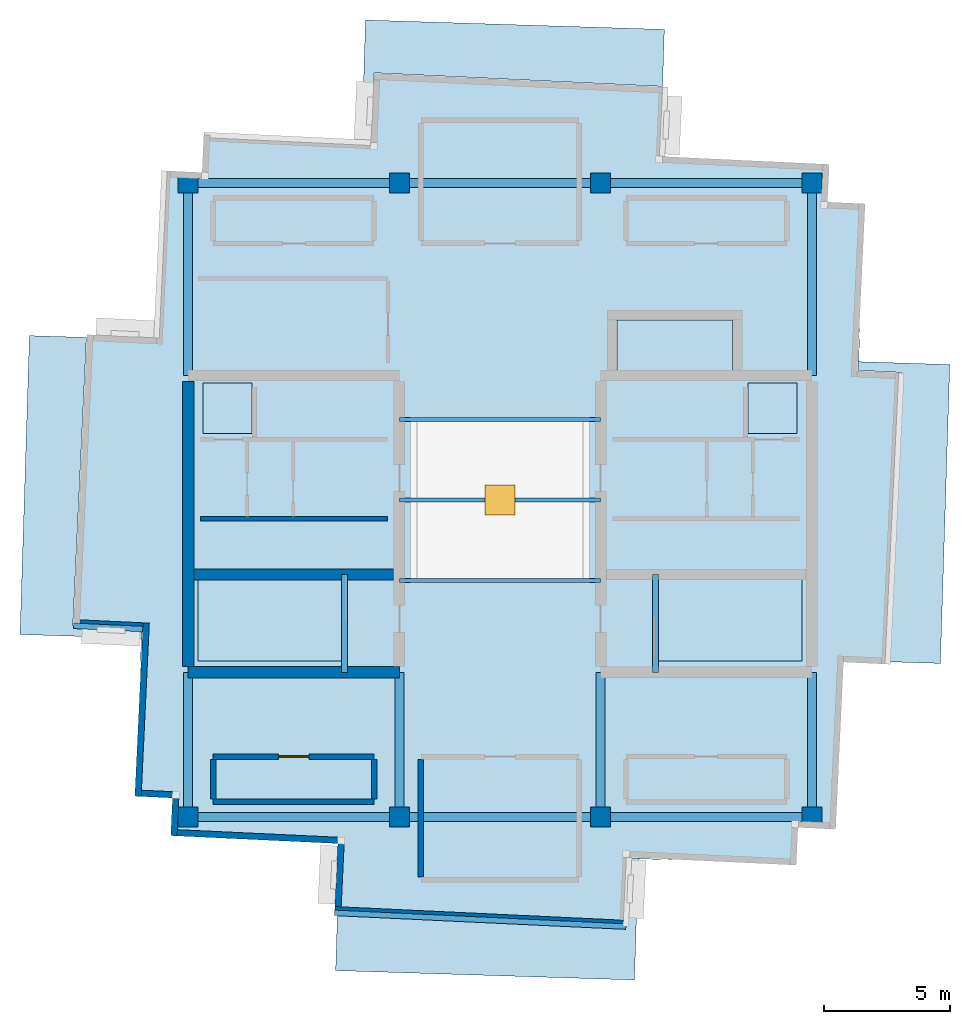
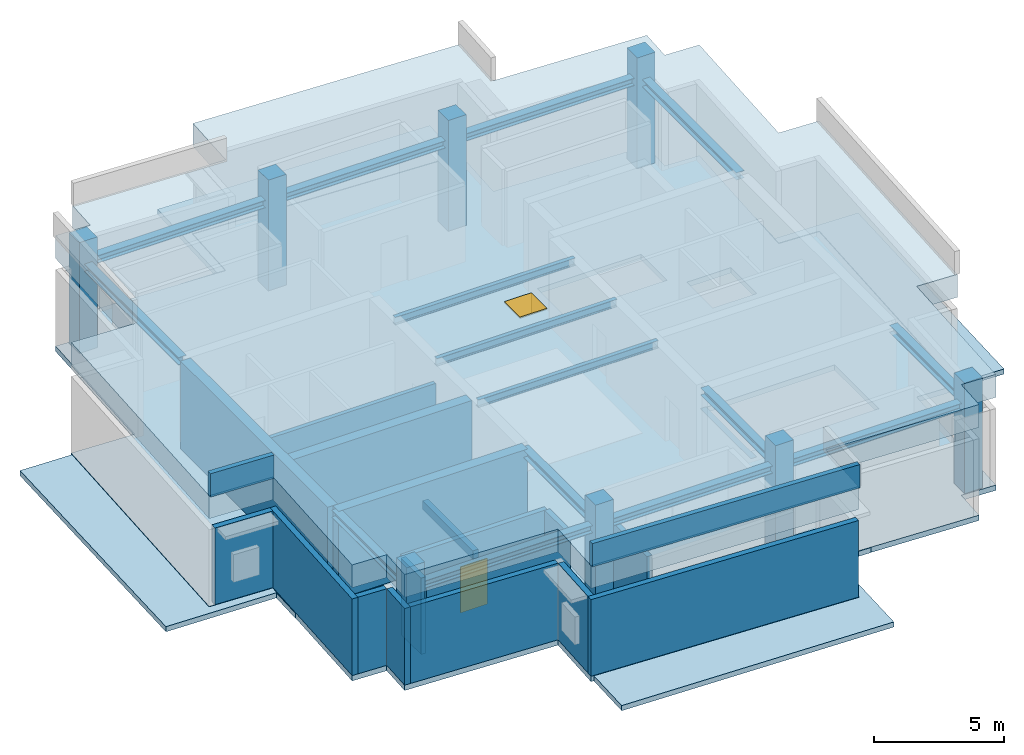
# One storey, part 1 of 4: 18 walls, 17 beams, 8 columns, 6 slabs, 1 door, 1 window, 2 openings.
"""IFC4 building model written with IfcOpenShell, lengths in metres."""

from ifc_helpers import new_model, si_unit, direction, frame, frame_2d, origin, origin_2d, place, context, subcontext, project, spatial, polyline, rectangle, i_section, outline, extrude, material, layer, layer_set, material_profile, profile_set, type_object, element, fill, save


model = new_model("IFC4")

# Units and contexts
model_context = context("Model", 3, precision=1e-05, world=origin(), true_north=direction((0.0, 1.0)))
body_context = subcontext(model_context, "Body", "Model", "MODEL_VIEW")
ifc_project = project(units=[si_unit("LENGTHUNIT", "METRE"), si_unit("AREAUNIT", "SQUARE_METRE"), si_unit("VOLUMEUNIT", "CUBIC_METRE"), si_unit("PLANEANGLEUNIT", "RADIAN"), si_unit("MASSUNIT", "GRAM", prefix="KILO")], contexts=[model_context])

# Site, building, storey
site_placement = place(None, origin())
site = spatial("IfcSite", under=ifc_project, at=site_placement, CompositionType="ELEMENT")
building_placement = place(site_placement, origin())
building = spatial("IfcBuilding", under=site, at=building_placement, Name="Qingluan Cross Belvedere", CompositionType="ELEMENT")
storey_placement = place(building_placement, frame((0.0, 0.0, 321.89990234375)))
storey = spatial("IfcBuildingStorey", under=building, at=storey_placement, Name="L79", CompositionType="ELEMENT", Elevation=321.89990234375)

# Columns
ifc_material_1 = material(Name="Concrete C50", Category="concrete")
ifc_material_profile_1 = material_profile(ifc_material_1, rectangle(XDim=0.800048828125, YDim=0.800048828125, at=origin_2d()), Name="RC800x800")
ifc_profile_set_1 = profile_set([ifc_material_profile_1], Name="Concrete C50")
column_type = type_object("IfcColumnType", Name="Column_RC800x800", PredefinedType="COLUMN", material=ifc_profile_set_1)
for number, where, z_axis, x_axis, name in (
    (1, (-12.39990234375, -12.60009765625, 0.0), (0.0, 0.0, 1.0), (1.0, 0.0, 0.0), "Hub column L79-HC1"),
    (2, (12.39990234375, -12.60009765625, 0.0), (0.0, 0.0, 1.0), (1.0, 0.0, 0.0), "Hub column L79-HC2"),
    (3, (12.39990234375, 12.60009765625, 0.0), (0.0, 0.0, 1.0), (1.0, 0.0, 0.0), "Hub column L79-HC3"),
    (4, (-12.39990234375, 12.60009765625, 0.0), (0.0, 0.0, 1.0), (1.0, 0.0, 0.0), "Hub column L79-HC4"),
    (5, (-4.0, -12.60009765625, 0.0), (0.0, 0.0, 1.0), (1.0, 0.0, 0.0), "Hub column L79-HC5"),
    (6, (4.0, -12.60009765625, 0.0), (0.0, 0.0, 1.0), (1.0, 0.0, 0.0), "Hub column L79-HC6"),
    (7, (4.0, 12.60009765625, 0.0), (0.0, 0.0, 1.0), (1.0, 0.0, 0.0), "Hub column L79-HC7"),
    (8, (-4.0, 12.60009765625, 0.0), (0.0, 0.0, 1.0), (1.0, 0.0, 0.0), "Hub column L79-HC8"),
):
    element("IfcColumn", number, at=place(storey_placement, frame(where, z_axis=z_axis, x_axis=x_axis)), inside=storey, type_object=column_type, Name=name, PredefinedType="COLUMN", context=body_context, shape_type="SweptSolid", body=[
        extrude(rectangle(XDim=0.800048828125, YDim=0.800048828125, at=origin_2d()), origin(), (0.0, 0.0, 1.0), 5.2001953125),
    ])

# Beams
ifc_material_2 = material(Name="Concrete C45", Category="concrete")
ifc_material_profile_2 = material_profile(ifc_material_2, rectangle(XDim=0.25, YDim=0.39990234375, at=origin_2d()), Name="RC250x400")
ifc_profile_set_2 = profile_set([ifc_material_profile_2], Name="Concrete C45")
beam_type_1 = type_object("IfcBeamType", Name="RC_Lintel_RC250x400", PredefinedType="LINTEL", material=ifc_profile_set_2)
for number, where, z_axis, x_axis, name in (
    (9, (-6.179931640625, -6.85009765625, -0.199951171875), (0.0, 1.0, 0.0), (-1.0, 0.0, 0.0), "Stair ST1 landing beam L79"),
    (10, (6.179931640625, -6.85009765625, -0.199951171875), (0.0, 1.0, 0.0), (-1.0, 0.0, 0.0), "Stair ST2 landing beam L79"),
):
    element("IfcBeam", number, at=place(storey_placement, frame(where, z_axis=z_axis, x_axis=x_axis)), inside=storey, type_object=beam_type_1, Name=name, PredefinedType="LINTEL", context=body_context, shape_type="SweptSolid", body=[
        extrude(rectangle(XDim=0.25, YDim=0.39990234375, at=origin_2d()), origin(), (0.0, 0.0, 1.0), 3.89013671875),
    ])
ifc_material_3 = material(Name="Steel Q420GJB", Category="steel")
ifc_material_profile_3 = material_profile(ifc_material_3, i_section(OverallWidth=0.175048828125, OverallDepth=0.35009765625, WebThickness=0.007080078125, FlangeThickness=0.010986328125, FilletRadius=0.012939453125, at=origin_2d()), Name="HN350x175x7x11")
ifc_profile_set_3 = profile_set([ifc_material_profile_3], Name="Steel Q420GJB")
beam_type_2 = type_object("IfcBeamType", Name="Steel_Beam_HN350x175x7x11", PredefinedType="JOIST", material=ifc_profile_set_3)
for number, where, z_axis, x_axis, name in (
    (11, (-4.0, -3.199951171875, 3.945068359375), (1.0, 0.0, 0.0), (0.0, 1.0, 0.0), "Hall beam L79-CH1"),
    (12, (-4.0, 0.0, 3.945068359375), (1.0, 0.0, 0.0), (0.0, 1.0, 0.0), "Hall beam L79-CH2"),
    (13, (-4.0, 3.199951171875, 3.945068359375), (1.0, 0.0, 0.0), (0.0, 1.0, 0.0), "Hall beam L79-CH3"),
):
    element("IfcBeam", number, at=place(storey_placement, frame(where, z_axis=z_axis, x_axis=x_axis)), inside=storey, type_object=beam_type_2, Name=name, PredefinedType="JOIST", context=body_context, shape_type="SweptSolid", body=[
        extrude(i_section(OverallWidth=0.175048828125, OverallDepth=0.35009765625, WebThickness=0.007080078125, FlangeThickness=0.010986328125, FilletRadius=0.012939453125, at=origin_2d()), origin(), (0.0, 0.0, 1.0), 8.0),
    ])
ifc_material_4 = material(Name="Steel Q420GJB", Category="steel")
ifc_material_profile_4 = material_profile(ifc_material_4, i_section(OverallWidth=0.35009765625, OverallDepth=0.35009765625, WebThickness=0.011962890625, FlangeThickness=0.01904296875, FilletRadius=0.02001953125, at=origin_2d()), Name="HW350x350x12x19")
ifc_profile_set_4 = profile_set([ifc_material_profile_4], Name="Steel Q420GJB")
beam_type_3 = type_object("IfcBeamType", Name="Steel_Girder_HW350x350x12x19", PredefinedType="USERDEFINED", material=ifc_profile_set_4)
beam_1_placement = place(storey_placement, frame((-12.39990234375, -12.60009765625, 3.945068359375), z_axis=(1.0, 0.0, 0.0), x_axis=(0.0, 1.0, 0.0)))
element("IfcBeam", 14, at=beam_1_placement, inside=storey, type_object=beam_type_3, Name="Hub girder L79-HG-S1", ObjectType="GIRDER", PredefinedType="USERDEFINED", context=body_context, shape_type="SweptSolid", body=[
    extrude(i_section(OverallWidth=0.35009765625, OverallDepth=0.35009765625, WebThickness=0.011962890625, FlangeThickness=0.01904296875, FilletRadius=0.02001953125, at=origin_2d()), origin(), (0.0, 0.0, 1.0), 8.39990234375),
])
beam_2_placement = place(storey_placement, frame((-4.0, -12.60009765625, 3.945068359375), z_axis=(1.0, 0.0, 0.0), x_axis=(0.0, 1.0, 0.0)))
element("IfcBeam", 15, at=beam_2_placement, inside=storey, type_object=beam_type_3, Name="Hub girder L79-HG-S2", ObjectType="GIRDER", PredefinedType="USERDEFINED", context=body_context, shape_type="SweptSolid", body=[
    extrude(i_section(OverallWidth=0.35009765625, OverallDepth=0.35009765625, WebThickness=0.011962890625, FlangeThickness=0.01904296875, FilletRadius=0.02001953125, at=origin_2d()), origin(), (0.0, 0.0, 1.0), 8.0),
])
for number, where, z_axis, x_axis, name in (
    (16, (4.0, -12.60009765625, 3.945068359375), (1.0, 0.0, 0.0), (0.0, 1.0, 0.0), "Hub girder L79-HG-S3"),
    (17, (-12.39990234375, 12.60009765625, 3.945068359375), (1.0, 0.0, 0.0), (0.0, 1.0, 0.0), "Hub girder L79-HG-N1"),
):
    element("IfcBeam", number, at=place(storey_placement, frame(where, z_axis=z_axis, x_axis=x_axis)), inside=storey, type_object=beam_type_3, Name=name, ObjectType="GIRDER", PredefinedType="USERDEFINED", context=body_context, shape_type="SweptSolid", body=[
        extrude(i_section(OverallWidth=0.35009765625, OverallDepth=0.35009765625, WebThickness=0.011962890625, FlangeThickness=0.01904296875, FilletRadius=0.02001953125, at=origin_2d()), origin(), (0.0, 0.0, 1.0), 8.39990234375),
    ])
beam_3_placement = place(storey_placement, frame((-4.0, 12.60009765625, 3.945068359375), z_axis=(1.0, 0.0, 0.0), x_axis=(0.0, 1.0, 0.0)))
element("IfcBeam", 18, at=beam_3_placement, inside=storey, type_object=beam_type_3, Name="Hub girder L79-HG-N2", ObjectType="GIRDER", PredefinedType="USERDEFINED", context=body_context, shape_type="SweptSolid", body=[
    extrude(i_section(OverallWidth=0.35009765625, OverallDepth=0.35009765625, WebThickness=0.011962890625, FlangeThickness=0.01904296875, FilletRadius=0.02001953125, at=origin_2d()), origin(), (0.0, 0.0, 1.0), 8.0),
])
beam_4_placement = place(storey_placement, frame((4.0, 12.60009765625, 3.945068359375), z_axis=(1.0, 0.0, 0.0), x_axis=(0.0, 1.0, 0.0)))
element("IfcBeam", 19, at=beam_4_placement, inside=storey, type_object=beam_type_3, Name="Hub girder L79-HG-N3", ObjectType="GIRDER", PredefinedType="USERDEFINED", context=body_context, shape_type="SweptSolid", body=[
    extrude(i_section(OverallWidth=0.35009765625, OverallDepth=0.35009765625, WebThickness=0.011962890625, FlangeThickness=0.01904296875, FilletRadius=0.02001953125, at=origin_2d()), origin(), (0.0, 0.0, 1.0), 8.39990234375),
])
beam_5_placement = place(storey_placement, frame((-12.39990234375, -12.60009765625, 3.945068359375), z_axis=(0.0, 1.0, 0.0), x_axis=(-1.0, 0.0, 0.0)))
element("IfcBeam", 20, at=beam_5_placement, inside=storey, type_object=beam_type_3, Name="Hub girder L79-HG-W1", ObjectType="GIRDER", PredefinedType="USERDEFINED", context=body_context, shape_type="SweptSolid", body=[
    extrude(i_section(OverallWidth=0.35009765625, OverallDepth=0.35009765625, WebThickness=0.011962890625, FlangeThickness=0.01904296875, FilletRadius=0.02001953125, at=origin_2d()), origin(), (0.0, 0.0, 1.0), 5.75),
])
beam_6_placement = place(storey_placement, frame((-12.39990234375, 4.949951171875, 3.945068359375), z_axis=(0.0, 1.0, 0.0), x_axis=(-1.0, 0.0, 0.0)))
element("IfcBeam", 21, at=beam_6_placement, inside=storey, type_object=beam_type_3, Name="Hub girder L79-HG-W2", ObjectType="GIRDER", PredefinedType="USERDEFINED", context=body_context, shape_type="SweptSolid", body=[
    extrude(i_section(OverallWidth=0.35009765625, OverallDepth=0.35009765625, WebThickness=0.011962890625, FlangeThickness=0.01904296875, FilletRadius=0.02001953125, at=origin_2d()), origin(), (0.0, 0.0, 1.0), 7.650146484375),
])
beam_7_placement = place(storey_placement, frame((12.39990234375, -12.60009765625, 3.945068359375), z_axis=(0.0, 1.0, 0.0), x_axis=(-1.0, 0.0, 0.0)))
element("IfcBeam", 22, at=beam_7_placement, inside=storey, type_object=beam_type_3, Name="Hub girder L79-HG-E1", ObjectType="GIRDER", PredefinedType="USERDEFINED", context=body_context, shape_type="SweptSolid", body=[
    extrude(i_section(OverallWidth=0.35009765625, OverallDepth=0.35009765625, WebThickness=0.011962890625, FlangeThickness=0.01904296875, FilletRadius=0.02001953125, at=origin_2d()), origin(), (0.0, 0.0, 1.0), 5.75),
])
beam_8_placement = place(storey_placement, frame((12.39990234375, 4.949951171875, 3.945068359375), z_axis=(0.0, 1.0, 0.0), x_axis=(-1.0, 0.0, 0.0)))
element("IfcBeam", 23, at=beam_8_placement, inside=storey, type_object=beam_type_3, Name="Hub girder L79-HG-E2", ObjectType="GIRDER", PredefinedType="USERDEFINED", context=body_context, shape_type="SweptSolid", body=[
    extrude(i_section(OverallWidth=0.35009765625, OverallDepth=0.35009765625, WebThickness=0.011962890625, FlangeThickness=0.01904296875, FilletRadius=0.02001953125, at=origin_2d()), origin(), (0.0, 0.0, 1.0), 7.650146484375),
])
for number, where, z_axis, x_axis, name in (
    (24, (-4.0, -12.60009765625, 3.945068359375), (0.0, 1.0, 0.0), (-1.0, 0.0, 0.0), "Hub girder L79-HG-CW"),
    (25, (4.0, -12.60009765625, 3.945068359375), (0.0, 1.0, 0.0), (-1.0, 0.0, 0.0), "Hub girder L79-HG-CE"),
):
    element("IfcBeam", number, at=place(storey_placement, frame(where, z_axis=z_axis, x_axis=x_axis)), inside=storey, type_object=beam_type_3, Name=name, ObjectType="GIRDER", PredefinedType="USERDEFINED", context=body_context, shape_type="SweptSolid", body=[
        extrude(i_section(OverallWidth=0.35009765625, OverallDepth=0.35009765625, WebThickness=0.011962890625, FlangeThickness=0.01904296875, FilletRadius=0.02001953125, at=origin_2d()), origin(), (0.0, 0.0, 1.0), 5.75),
    ])

# Slabs
ifc_material_5 = material(Name="Concrete C40", Category="concrete")
ifc_layer_1 = layer(ifc_material_5, 0.239990234375, Name="CrownRoofSlab_240")
ifc_layer_set_1 = layer_set([ifc_layer_1], Name="Concrete C40")
slab_type_1 = type_object("IfcSlabType", Name="CrownRoofSlab_240", PredefinedType="ROOF", material=ifc_layer_set_1)
slab_1_placement = place(storey_placement, frame((0.0, 0.0, -0.239990234375)))
element("IfcSlab", 26, at=slab_1_placement, inside=storey, type_object=slab_type_1, Name="Stepped crown roof L79-1", PredefinedType="ROOF", context=body_context, shape_type="SweptSolid", body=[
    extrude(outline(polyline([(14.264892578125, 5.49951171875), (14.314453125, 7.0830078125), (14.223388671875, 5.150634765625), (15.96142578125, 5.068603515625), (15.98046875, 5.0498046875), (15.439208984375, -6.43310546875), (17.509521484375, -6.498291015625), (17.883056640625, 5.385986328125), (14.264892578125, 5.49951171875)])), origin(), (0.0, 0.0, 1.0), 0.239990234375),
])
slab_2_placement = place(storey_placement, frame((0.0, 0.0, -0.239990234375)))
element("IfcSlab", 27, at=slab_2_placement, inside=storey, type_object=slab_type_1, Name="Stepped crown roof L79-2", PredefinedType="ROOF", context=body_context, shape_type="SweptSolid", body=[
    extrude(outline(polyline([(-5.49951171875, 14.264892578125), (-7.0830078125, 14.314453125), (-5.150634765625, 14.223388671875), (-5.021484375, 16.96044921875), (-5.004638671875, 16.979248046875), (6.464599609375, 16.438720703125), (6.535888671875, 18.708984375), (-5.34814453125, 19.08251953125), (-5.49951171875, 14.264892578125)])), origin(), (0.0, 0.0, 1.0), 0.239990234375),
])
slab_3_placement = place(storey_placement, frame((0.0, 0.0, -0.239990234375)))
element("IfcSlab", 28, at=slab_3_placement, inside=storey, type_object=slab_type_1, Name="Stepped crown roof L79-3", PredefinedType="ROOF", context=body_context, shape_type="SweptSolid", body=[
    extrude(outline(polyline([(-14.264892578125, -5.49951171875), (-14.314453125, -7.0830078125), (-14.223388671875, -5.150634765625), (-16.96044921875, -5.021484375), (-16.979248046875, -5.004638671875), (-16.438720703125, 6.464599609375), (-18.708984375, 6.535888671875), (-19.08251953125, -5.34814453125), (-14.264892578125, -5.49951171875)])), origin(), (0.0, 0.0, 1.0), 0.239990234375),
])
slab_4_placement = place(storey_placement, frame((0.0, 0.0, -0.239990234375)))
element("IfcSlab", 29, at=slab_4_placement, inside=storey, type_object=slab_type_1, Name="Stepped crown roof L79-4", PredefinedType="ROOF", context=body_context, shape_type="SweptSolid", body=[
    extrude(outline(polyline([(-6.464599609375, -16.438720703125), (-6.535888671875, -18.708984375), (5.34814453125, -19.08251953125), (5.49951171875, -14.264892578125), (7.0830078125, -14.314453125), (5.150634765625, -14.223388671875), (5.021484375, -16.96044921875), (5.000732421875, -16.9794921875), (-6.464599609375, -16.438720703125)])), origin(), (0.0, 0.0, 1.0), 0.239990234375),
])
ifc_material_6 = material(Name="Concrete C40", Category="concrete")
ifc_layer_2 = layer(ifc_material_6, 0.25, Name="FloorSlab_250")
ifc_layer_set_2 = layer_set([ifc_layer_2], Name="Concrete C40")
slab_type_2 = type_object("IfcSlabType", Name="FloorSlab_250", PredefinedType="FLOOR", material=ifc_layer_set_2)
slab_5_placement = place(storey_placement, frame((0.0, 0.0, -0.25)))
element("IfcSlab", 30, at=slab_5_placement, inside=storey, type_object=slab_type_2, Name="Structural floor slab L79", PredefinedType="FLOOR", context=body_context, shape_type="SweptSolid", body=[
    extrude(outline(polyline([(5.001708984375, -16.95947265625), (5.131591796875, -14.202392578125), (11.7744140625, -14.515869140625), (11.844970703125, -13.017333984375), (13.34326171875, -13.088134765625), (13.656494140625, -6.445556640625), (15.41455078125, -6.5283203125), (15.96044921875, 5.048828125), (14.202392578125, 5.131591796875), (14.515869140625, 11.7744140625), (13.017333984375, 11.844970703125), (13.088134765625, 13.34326171875), (6.445556640625, 13.656494140625), (6.575439453125, 16.41357421875), (-5.001708984375, 16.95947265625), (-5.131591796875, 14.202392578125), (-11.7744140625, 14.515869140625), (-11.844970703125, 13.017333984375), (-13.34326171875, 13.088134765625), (-13.656494140625, 6.445556640625), (-16.41357421875, 6.575439453125), (-16.95947265625, -5.001708984375), (-14.202392578125, -5.131591796875), (-14.515869140625, -11.7744140625), (-13.017333984375, -11.844970703125), (-13.088134765625, -13.34326171875), (-6.445556640625, -13.656494140625), (-6.575439453125, -16.41357421875), (5.001708984375, -16.95947265625)]), holes=[polyline([(-12.0, -3.0), (-6.179931640625, -3.0), (-6.179931640625, -6.39990234375), (-12.0, -6.39990234375), (-12.0, -3.0)]), polyline([(6.179931640625, -3.0), (12.0, -3.0), (12.0, -6.39990234375), (6.179931640625, -6.39990234375), (6.179931640625, -3.0)]), polyline([(-11.800048828125, 4.64990234375), (-9.85009765625, 4.64990234375), (-9.85009765625, 2.64990234375), (-11.800048828125, 2.64990234375), (-11.800048828125, 4.64990234375)]), polyline([(9.85009765625, 4.64990234375), (11.800048828125, 4.64990234375), (11.800048828125, 2.64990234375), (9.85009765625, 2.64990234375), (9.85009765625, 4.64990234375)]), polyline([(4.64990234375, 7.14990234375), (9.25, 7.14990234375), (9.25, 5.14990234375), (4.64990234375, 5.14990234375), (4.64990234375, 7.14990234375)])]), origin(), (0.0, 0.0, 1.0), 0.25),
])

# Slab, opening, window
ifc_material_7 = material(Name="Concrete C40", Category="concrete")
ifc_layer_3 = layer(ifc_material_7, 1.080078125, Name="TopPlantRoof_1080")
ifc_layer_set_3 = layer_set([ifc_layer_3], Name="Concrete C40")
slab_type_3 = type_object("IfcSlabType", Name="TopPlantRoof_1080", PredefinedType="ROOF", material=ifc_layer_set_3)
slab_6_placement = place(storey_placement, frame((0.0, 0.0, 4.1201171875)))
slab_6 = element("IfcSlab", 31, at=slab_6_placement, inside=storey, type_object=slab_type_3, Name="Top mechanical plant roof slab L79", PredefinedType="ROOF", context=body_context, shape_type="SweptSolid", body=[
    extrude(outline(polyline([(5.001708984375, -16.95947265625), (5.131591796875, -14.202392578125), (11.7744140625, -14.515869140625), (11.844970703125, -13.017333984375), (13.34326171875, -13.088134765625), (13.656494140625, -6.445556640625), (15.41455078125, -6.5283203125), (15.96044921875, 5.048828125), (14.202392578125, 5.131591796875), (14.515869140625, 11.7744140625), (13.017333984375, 11.844970703125), (13.088134765625, 13.34326171875), (6.445556640625, 13.656494140625), (6.575439453125, 16.41357421875), (-5.001708984375, 16.95947265625), (-5.131591796875, 14.202392578125), (-11.7744140625, 14.515869140625), (-11.844970703125, 13.017333984375), (-13.34326171875, 13.088134765625), (-13.656494140625, 6.445556640625), (-16.41357421875, 6.575439453125), (-16.95947265625, -5.001708984375), (-14.202392578125, -5.131591796875), (-14.515869140625, -11.7744140625), (-13.017333984375, -11.844970703125), (-13.088134765625, -13.34326171875), (-6.445556640625, -13.656494140625), (-6.575439453125, -16.41357421875), (5.001708984375, -16.95947265625)])), origin(), (0.0, 0.0, 1.0), 1.080078125),
])
opening_1_placement = place(slab_6_placement, origin())
opening_1 = element("IfcOpeningElement", 32, at=opening_1_placement, cuts=slab_6, Name="Opening RH-01", PredefinedType="OPENING", context=body_context, shape_type="SweptSolid", body=[
    extrude(rectangle(XDim=1.199951171875, YDim=1.199951171875, at=origin_2d()), origin(), (0.0, 0.0, 1.0), 1.080078125),
])
ifc_material_8 = material(Name="Thermally broken triple Low-E glass in aluminium frame", Category="aluminium")
window_type = type_object("IfcWindowType", Name="RoofAccessHatch_1200x1200", PartitioningType="SINGLE_PANEL", PredefinedType="SKYLIGHT", material=ifc_material_8)
window_placement = place(opening_1_placement, frame((0.0, 0.0, 1.030029296875)))
window = element("IfcWindow", 33, at=window_placement, inside=storey, type_object=window_type, Name="ROOF ACCESS HATCH L79", OverallHeight=1.199951171875, OverallWidth=1.199951171875, PartitioningType="SINGLE_PANEL", PredefinedType="SKYLIGHT", context=body_context, shape_type="SweptSolid", body=[
    extrude(rectangle(XDim=1.199951171875, YDim=1.199951171875, at=origin_2d()), origin(), (0.0, 0.0, 1.0), 0.050048828125),
])
fill(opening_1, window)

# Walls
ifc_material_9 = material(Name="Concrete C50", Category="concrete")
ifc_layer_4 = layer(ifc_material_9, 0.449951171875, Name="CoreShearWall_450")
ifc_layer_set_4 = layer_set([ifc_layer_4], Name="Concrete C50")
wall_type_1 = type_object("IfcWallType", Name="CoreShearWall_450", PredefinedType="SHEAR", material=ifc_layer_set_4)
wall_1_placement = place(storey_placement, frame((-12.39990234375, -6.85009765625, 0.0), z_axis=(0.0, 0.0, 1.0), x_axis=(1.0, 0.0, 0.0)))
element("IfcWall", 34, at=wall_1_placement, inside=storey, type_object=wall_type_1, Name="Split core W shear wall L79-S", PredefinedType="SHEAR", context=body_context, shape_type="SweptSolid", body=[
    extrude(rectangle(XDim=8.39990234375, YDim=0.449951171875, at=frame_2d((4.199951171875, 0.0))), origin(), (0.0, 0.0, 1.0), 4.1201171875),
])
wall_2_placement = place(storey_placement, frame((-12.39990234375, -6.6201171875, 0.0), z_axis=(0.0, 0.0, 1.0), x_axis=(0.0, 1.0, 0.0)))
element("IfcWall", 35, at=wall_2_placement, inside=storey, type_object=wall_type_1, Name="Split core W shear wall L79-W", PredefinedType="SHEAR", context=body_context, shape_type="SweptSolid", body=[
    extrude(rectangle(XDim=11.340087890625, YDim=0.449951171875, at=frame_2d((5.669921875, 0.0))), origin(), (0.0, 0.0, 1.0), 4.1201171875),
])
wall_3_placement = place(storey_placement, frame((-12.169921875, -2.9599609375, 0.0), z_axis=(0.0, 0.0, 1.0), x_axis=(1.0, 0.0, 0.0)))
element("IfcWall", 36, at=wall_3_placement, inside=storey, type_object=wall_type_1, Name="Split core W shear wall L79-M", PredefinedType="SHEAR", context=body_context, shape_type="SweptSolid", body=[
    extrude(rectangle(XDim=7.93994140625, YDim=0.449951171875, at=frame_2d((3.969970703125, 0.0))), origin(), (0.0, 0.0, 1.0), 4.1201171875),
])
ifc_material_10 = material(Name="Gypsum plasterboard on steel stud acoustic partition", Category="steel")
ifc_layer_5 = layer(ifc_material_10, 0.159912109375, Name="CorridorPartition_160")
ifc_layer_set_5 = layer_set([ifc_layer_5], Name="Gypsum plasterboard on steel stud acoustic partition")
wall_type_2 = type_object("IfcWallType", Name="CorridorPartition_160", PredefinedType="PARTITIONING", material=ifc_layer_set_5)
wall_4_placement = place(storey_placement, frame((-3.14990234375, -14.985107421875, 0.0), z_axis=(0.0, 0.0, 1.0), x_axis=(0.0, 1.0, 0.0)))
element("IfcWall", 37, at=wall_4_placement, inside=storey, type_object=wall_type_2, Name="Partition L79:roof_tank_s:W", PredefinedType="PARTITIONING", context=body_context, shape_type="SweptSolid", body=[
    extrude(rectangle(XDim=4.670166015625, YDim=0.219970703125, at=frame_2d((2.3349609375, 0.0))), origin(), (0.0, 0.0, 1.0), 3.590087890625),
])
wall_5_placement = place(storey_placement, frame((-11.39990234375, -12.0, 0.0), z_axis=(0.0, 0.0, 1.0), x_axis=(1.0, 0.0, 0.0)))
element("IfcWall", 38, at=wall_5_placement, inside=storey, type_object=wall_type_2, Name="Partition L79:roof_ahu:S", PredefinedType="PARTITIONING", context=body_context, shape_type="SweptSolid", body=[
    extrude(rectangle(XDim=6.39990234375, YDim=0.219970703125, at=frame_2d((3.199951171875, 0.0))), origin(), (0.0, 0.0, 1.0), 3.590087890625),
])

# Wall, opening, door
wall_6_placement = place(storey_placement, frame((-11.39990234375, -10.199951171875, 0.0), z_axis=(0.0, 0.0, 1.0), x_axis=(1.0, 0.0, 0.0)))
wall_6 = element("IfcWall", 39, at=wall_6_placement, inside=storey, type_object=wall_type_2, Name="Partition L79:roof_ahu:N", PredefinedType="PARTITIONING", context=body_context, shape_type="SweptSolid", body=[
    extrude(rectangle(XDim=6.39990234375, YDim=0.219970703125, at=frame_2d((3.199951171875, 0.0))), origin(), (0.0, 0.0, 1.0), 3.590087890625),
])
opening_2_placement = place(wall_6_placement, frame((2.60009765625, 0.0, 0.0)))
opening_2 = element("IfcOpeningElement", 40, at=opening_2_placement, cuts=wall_6, Name="Opening FD-A12", PredefinedType="OPENING", context=body_context, shape_type="SweptSolid", body=[
    extrude(rectangle(XDim=1.199951171875, YDim=2.14990234375, at=frame_2d((0.60009765625, 1.074951171875))), frame((0.0, 0.119873046875, 0.0), z_axis=(0.0, -1.0, 0.0), x_axis=(1.0, 0.0, 0.0)), (0.0, 0.0, 1.0), 0.239990234375),
])
ifc_material_11 = material(Name="Insulated steel Class A fire door", Category="steel")
door_type = type_object("IfcDoorType", Name="RefugeCompartmentDoor_FDA", OperationType="NOTDEFINED", PredefinedType="DOOR", material=ifc_material_11)
door_placement = place(opening_2_placement, origin())
door = element("IfcDoor", 41, at=door_placement, inside=storey, type_object=door_type, Name="Crown exhaust and air handling plant room L79 door", OperationType="SINGLE_SWING_RIGHT", OverallHeight=2.14990234375, OverallWidth=1.199951171875, PredefinedType="DOOR", context=body_context, shape_type="SweptSolid", body=[
    extrude(rectangle(XDim=1.199951171875, YDim=2.14990234375, at=frame_2d((0.60009765625, 1.074951171875))), frame((0.0, 0.02490234375, 0.0), z_axis=(0.0, -1.0, 0.0), x_axis=(1.0, 0.0, 0.0)), (0.0, 0.0, 1.0), 0.050048828125),
])
fill(opening_2, door)

# Walls
for number, where, z_axis, x_axis, name in (
    (42, (-11.39990234375, -11.885009765625, 0.0), (0.0, 0.0, 1.0), (0.0, 1.0, 0.0), "Partition L79:roof_ahu:W"),
    (43, (-5.0, -11.885009765625, 0.0), (0.0, 0.0, 1.0), (0.0, 1.0, 0.0), "Partition L79:roof_ahu:E"),
):
    element("IfcWall", number, at=place(storey_placement, frame(where, z_axis=z_axis, x_axis=x_axis)), inside=storey, type_object=wall_type_2, Name=name, PredefinedType="PARTITIONING", context=body_context, shape_type="SweptSolid", body=[
        extrude(rectangle(XDim=1.570068359375, YDim=0.219970703125, at=frame_2d((0.78515625, 0.0))), origin(), (0.0, 0.0, 1.0), 3.590087890625),
    ])
ifc_material_12 = material(Name="Precast concrete C45", Category="concrete")
ifc_layer_6 = layer(ifc_material_12, 0.25, Name="PrecastCrownWall_250")
ifc_layer_set_6 = layer_set([ifc_layer_6], Name="Precast concrete C45")
wall_type_3 = type_object("IfcWallType", Name="PrecastCrownWall_250", PredefinedType="STANDARD", material=ifc_layer_set_6)
for number, where, z_axis, x_axis, name in (
    (44, (-16.703857421875, -4.888671875, 0.0), (0.0, 0.0, 1.0), (0.998891343142, -0.0470753077, 0.0), "Facade wall L79-WB"),
    (45, (-6.320556640625, -13.662353515625, 0.0), (0.0, 0.0, 1.0), (-0.0470753077, -0.998891343142, 0.0), "Facade wall L79-SA"),
):
    element("IfcWall", number, at=place(storey_placement, frame(where, z_axis=z_axis, x_axis=x_axis)), inside=storey, type_object=wall_type_3, Name=name, PredefinedType="STANDARD", context=body_context, shape_type="SweptSolid", body=[
        extrude(rectangle(XDim=2.510009765625, YDim=0.25, at=frame_2d((1.2548828125, 0.0))), origin(), (0.0, 0.0, 1.0), 3.60009765625),
    ])
wall_7_placement = place(storey_placement, frame((-6.569580078125, -16.28857421875, 0.0), z_axis=(0.0, 0.0, 1.0), x_axis=(0.998889151709, -0.04712178474, 0.0)))
element("IfcWall", 46, at=wall_7_placement, inside=storey, type_object=wall_type_3, Name="Arm tip precast facade wall L79-S", PredefinedType="STANDARD", context=body_context, shape_type="SweptSolid", body=[
    extrude(rectangle(XDim=11.590087890625, YDim=0.25, at=frame_2d((5.794921875, 0.0))), origin(), (0.0, 0.0, 1.0), 3.60009765625),
])
wall_8_placement = place(storey_placement, frame((-14.06591796875, -4.8876953125, 0.0), z_axis=(0.0, 0.0, 1.0), x_axis=(-0.047092777052, -0.998890519702, 0.0)))
element("IfcWall", 47, at=wall_8_placement, inside=storey, type_object=wall_type_3, Name="Corner wall L79-SW1", PredefinedType="STANDARD", context=body_context, shape_type="SweptSolid", body=[
    extrude(rectangle(XDim=6.900146484375, YDim=0.25, at=frame_2d((3.4501953125, 0.0))), origin(), (0.0, 0.0, 1.0), 3.60009765625),
])
wall_9_placement = place(storey_placement, frame((-14.260009765625, -11.6611328125, 0.0), z_axis=(0.0, 0.0, 1.0), x_axis=(0.998882234619, -0.047268185526, 0.0)))
element("IfcWall", 48, at=wall_9_placement, inside=storey, type_object=wall_type_3, Name="Corner wall L79-SW2", PredefinedType="STANDARD", context=body_context, shape_type="SweptSolid", body=[
    extrude(rectangle(XDim=1.25, YDim=0.25, at=frame_2d((0.625, 0.0))), origin(), (0.0, 0.0, 1.0), 3.60009765625),
])
wall_10_placement = place(storey_placement, frame((-12.892578125, -11.850830078125, 0.0), z_axis=(0.0, 0.0, 1.0), x_axis=(-0.047039284441, -0.99889304018, 0.0)))
element("IfcWall", 49, at=wall_10_placement, inside=storey, type_object=wall_type_3, Name="Corner wall L79-SW3", PredefinedType="STANDARD", context=body_context, shape_type="SweptSolid", body=[
    extrude(rectangle(XDim=1.5, YDim=0.25, at=frame_2d((0.75, 0.0))), origin(), (0.0, 0.0, 1.0), 3.60009765625),
])
wall_11_placement = place(storey_placement, frame((-12.83251953125, -13.230224609375, 0.0), z_axis=(0.0, 0.0, 1.0), x_axis=(0.998889611537, -0.04711203629, 0.0)))
element("IfcWall", 50, at=wall_11_placement, inside=storey, type_object=wall_type_3, Name="Corner wall L79-SW4", PredefinedType="STANDARD", context=body_context, shape_type="SweptSolid", body=[
    extrude(rectangle(XDim=6.39990234375, YDim=0.25, at=frame_2d((3.199951171875, 0.0))), origin(), (0.0, 0.0, 1.0), 3.60009765625),
])
ifc_material_13 = material(Name="Precast concrete C45", Category="concrete")
ifc_layer_7 = layer(ifc_material_13, 0.219970703125, Name="RoofParapetWall_220")
ifc_layer_set_7 = layer_set([ifc_layer_7], Name="Precast concrete C45")
wall_type_4 = type_object("IfcWallType", Name="RoofParapetWall_220", PredefinedType="PARAPET", material=ifc_layer_set_7)
wall_12_placement = place(storey_placement, frame((-16.95947265625, -5.001708984375, 5.2001953125), z_axis=(0.0, 0.0, 1.0), x_axis=(0.998892222618, -0.047056642383, 0.0)))
element("IfcWall", 51, at=wall_12_placement, inside=storey, type_object=wall_type_4, Name="Crown plant roof concrete parapet 22", PredefinedType="PARAPET", context=body_context, shape_type="SweptSolid", body=[
    extrude(rectangle(XDim=2.76025390625, YDim=0.219970703125, at=frame_2d((1.380126953125, 0.0))), origin(), (0.0, 0.0, 1.0), 1.099853515625),
])
wall_13_placement = place(storey_placement, frame((-6.575439453125, -16.41357421875, 5.2001953125), z_axis=(0.0, 0.0, 1.0), x_axis=(0.998890142994, -0.047100766759, 0.0)))
element("IfcWall", 52, at=wall_13_placement, inside=storey, type_object=wall_type_4, Name="Crown plant roof concrete parapet 28", PredefinedType="PARAPET", context=body_context, shape_type="SweptSolid", body=[
    extrude(rectangle(XDim=11.590087890625, YDim=0.219970703125, at=frame_2d((5.794921875, 0.0))), origin(), (0.0, 0.0, 1.0), 1.099853515625),
])
ifc_material_14 = material(Name="Concrete C40", Category="concrete")
ifc_layer_8 = layer(ifc_material_14, 0.219970703125, Name="ShaftEnclosureWall_250")
ifc_layer_set_8 = layer_set([ifc_layer_8], Name="Concrete C40")
wall_type_5 = type_object("IfcWallType", Name="ShaftEnclosureWall_250", PredefinedType="SOLIDWALL", material=ifc_layer_set_8)
wall_14_placement = place(storey_placement, frame((-11.89990234375, -0.75, 0.0), z_axis=(0.0, 0.0, 1.0), x_axis=(1.0, 0.0, 0.0)))
element("IfcWall", 53, at=wall_14_placement, inside=storey, type_object=wall_type_5, Name="Core-W mid hoistway wall L79", PredefinedType="SOLIDWALL", context=body_context, shape_type="SweptSolid", body=[
    extrude(rectangle(XDim=7.419921875, YDim=0.179931640625, at=frame_2d((3.7099609375, 0.0))), origin(), (0.0, 0.0, 1.0), 3.590087890625),
])

save(model, "model.ifc")
